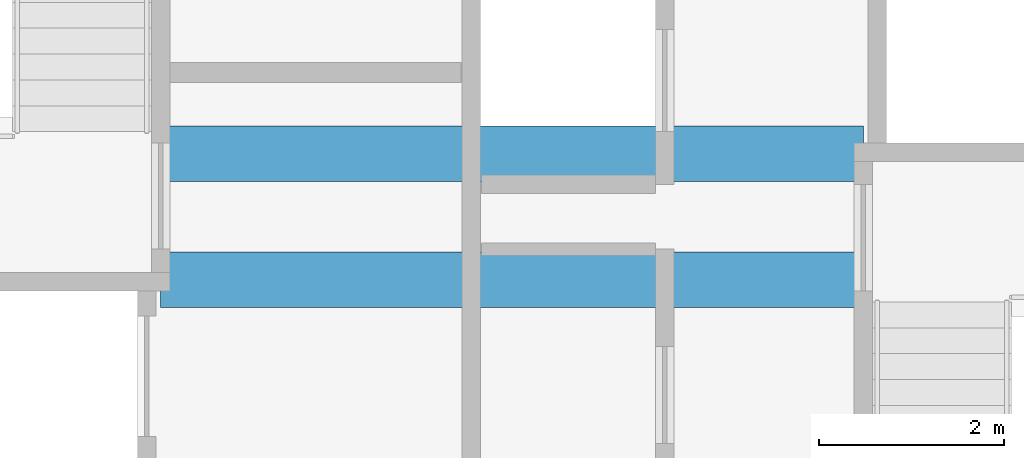
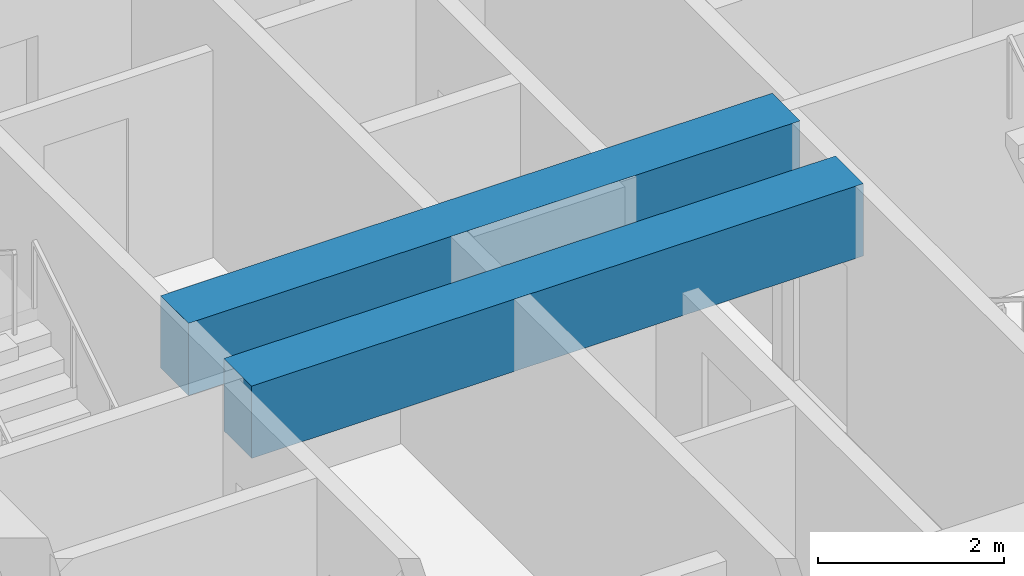
# One storey, part 8 of 41: 2 beams.
"""IFC4 building model written with IfcOpenShell, lengths in metres."""

from ifc_helpers import new_model, si_unit, direction, frame, origin, origin_2d, place, context, subcontext, project, spatial, rectangle, extrude, material, material_profile, profile_set, type_object, element, save


model = new_model("IFC4")

# Units and contexts
model_context = context("Model", 3, precision=1e-05, world=origin(), true_north=direction((0.0, 1.0)))
body_context = subcontext(model_context, "Body", "Model", "MODEL_VIEW")
ifc_project = project(units=[si_unit("LENGTHUNIT", "METRE"), si_unit("AREAUNIT", "SQUARE_METRE"), si_unit("VOLUMEUNIT", "CUBIC_METRE"), si_unit("PLANEANGLEUNIT", "RADIAN"), si_unit("MASSUNIT", "GRAM", prefix="KILO")], contexts=[model_context])

# Site, building, storey
site_placement = place(None, origin())
site = spatial("IfcSite", under=ifc_project, at=site_placement, CompositionType="ELEMENT")
building_placement = place(site_placement, origin())
building = spatial("IfcBuilding", under=site, at=building_placement, Name="Tashvorn Skyway Center", CompositionType="ELEMENT")
storey_placement = place(building_placement, frame((0.0, 0.0, 192.5)))
storey = spatial("IfcBuildingStorey", under=building, at=storey_placement, Name="L52", CompositionType="ELEMENT", Elevation=192.5)

# Beams
ifc_material = material(Name="Concrete C60/75", Category="concrete")
ifc_material_profile = material_profile(ifc_material, rectangle(XDim=0.60009765625, YDim=0.949951171875, at=origin_2d()), Name="RCB600x950")
ifc_profile_set = profile_set([ifc_material_profile], Name="Concrete C60/75")
beam_type = type_object("IfcBeamType", Name="BM-LINTEL-RCB600x950", PredefinedType="LINTEL", material=ifc_profile_set)
for number, where, z_axis, x_axis, name in (
    (1, (38.199951171875, 32.679931640625, 2.89501953125), (1.0, 0.0, 0.0), (0.0, 1.0, 0.0), "Tower 1 L52 Core Coupling Beam CN"),
    (2, (38.199951171875, 31.320068359375, 2.89501953125), (1.0, 0.0, 0.0), (0.0, 1.0, 0.0), "Tower 1 L52 Core Coupling Beam CS"),
):
    element("IfcBeam", number, at=place(storey_placement, frame(where, z_axis=z_axis, x_axis=x_axis)), inside=storey, type_object=beam_type, Name=name, PredefinedType="LINTEL", context=body_context, shape_type="SweptSolid", body=[
        extrude(rectangle(XDim=0.60009765625, YDim=0.949951171875, at=origin_2d()), origin(), (0.0, 0.0, 1.0), 7.60009765625),
    ])

save(model, "model.ifc")
